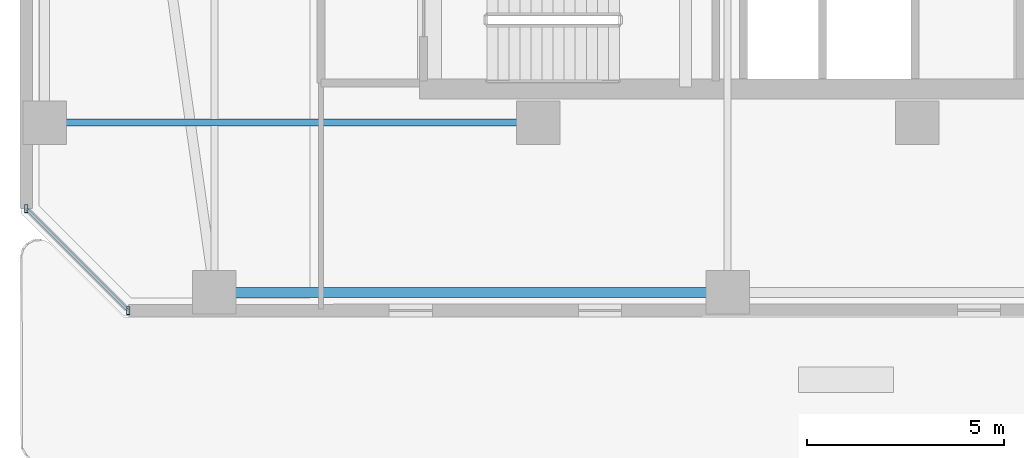
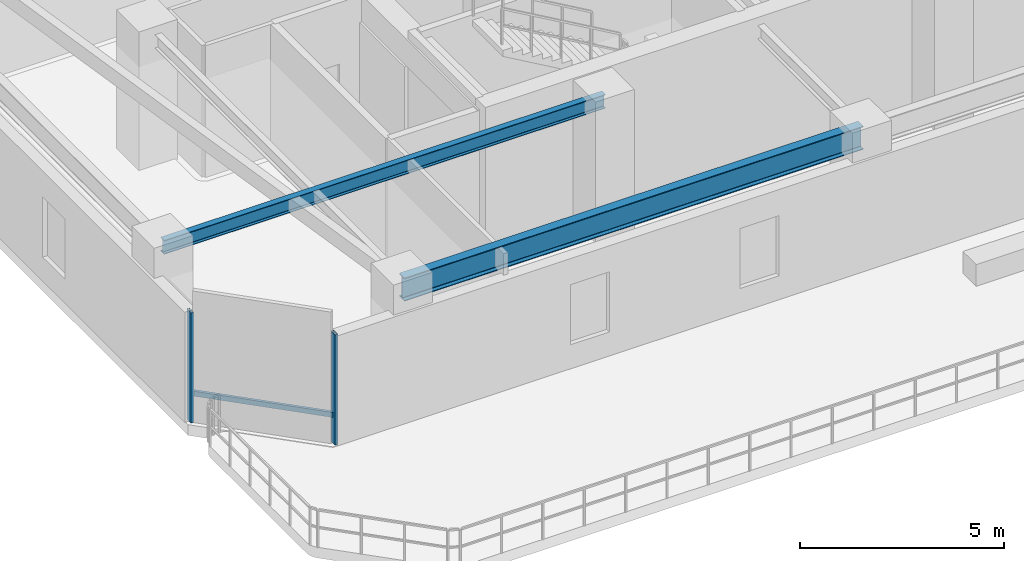
# One storey, part 3 of 33: 3 members, 2 beams, 1 element without a shape of its own.
"""IFC4 building model written with IfcOpenShell, lengths in metres."""

from ifc_helpers import new_model, si_unit, direction, frame, origin, origin_2d, place, context, subcontext, project, spatial, hollow_rectangle, i_section, extrude, material, material_profile, profile_set, type_object, element, aggregate, save


model = new_model("IFC4")

# Units and contexts
model_context = context("Model", 3, precision=1e-05, world=origin(), true_north=direction((0.0, 1.0)))
body_context = subcontext(model_context, "Body", "Model", "MODEL_VIEW")
ifc_project = project(units=[si_unit("LENGTHUNIT", "METRE"), si_unit("AREAUNIT", "SQUARE_METRE"), si_unit("VOLUMEUNIT", "CUBIC_METRE"), si_unit("PLANEANGLEUNIT", "RADIAN"), si_unit("MASSUNIT", "GRAM", prefix="KILO")], contexts=[model_context])

# Site, building, storey
site_placement = place(None, origin())
site = spatial("IfcSite", under=ifc_project, at=site_placement, CompositionType="ELEMENT")
building_placement = place(site_placement, origin())
building = spatial("IfcBuilding", under=site, at=building_placement, Name="Thornwick Lancets Civic Towers", CompositionType="ELEMENT")
storey_placement = place(building_placement, frame((0.0, 0.0, 174.300048828125)))
storey = spatial("IfcBuildingStorey", under=building, at=storey_placement, Name="L46", CompositionType="ELEMENT", Elevation=174.300048828125)

# Beams
ifc_material_1 = material(Name="Steel S355JR", Category="steel")
ifc_material_profile_1 = material_profile(ifc_material_1, i_section(OverallWidth=0.255859375, OverallDepth=0.69287109375, WebThickness=0.014404296875, FlangeThickness=0.023681640625, FilletRadius=0.01513671875, at=origin_2d()), Name="UKB 686x254x170")
ifc_profile_set_1 = profile_set([ifc_material_profile_1], Name="Steel S355JR")
beam_type_1 = type_object("IfcBeamType", Name="BM_GIRD_686_170", PredefinedType="BEAM", material=ifc_profile_set_1)
beam_1_placement = place(storey_placement, frame((12.5, 9.699951171875, 3.613525390625), z_axis=(1.0, 0.0, 0.0), x_axis=(0.0, 1.0, 0.0)))
element("IfcBeam", 1, at=beam_1_placement, inside=storey, type_object=beam_type_1, Name="BM-SPINE-L46-A-0-1", PredefinedType="BEAM", context=body_context, shape_type="SweptSolid", body=[
    extrude(i_section(OverallWidth=0.255859375, OverallDepth=0.69287109375, WebThickness=0.014404296875, FlangeThickness=0.023681640625, FilletRadius=0.01513671875, at=origin_2d()), origin(), (0.0, 0.0, 1.0), 13.0),
])
ifc_material_profile_2 = material_profile(ifc_material_1, i_section(OverallWidth=0.179443359375, OverallDepth=0.412841796875, WebThickness=0.009521484375, FlangeThickness=0.01611328125, FilletRadius=0.01025390625, at=origin_2d()), Name="UKB 406x178x74")
ifc_profile_set_2 = profile_set([ifc_material_profile_2], Name="Steel S355JR")
beam_type_2 = type_object("IfcBeamType", Name="BM_JOIST_406_74", PredefinedType="JOIST", material=ifc_profile_set_2)
beam_2_placement = place(storey_placement, frame((20.699951171875, 14.0, 3.753662109375), z_axis=(-1.0, 0.0, 0.0), x_axis=(0.0, -1.0, 0.0)))
element("IfcBeam", 2, at=beam_2_placement, inside=storey, type_object=beam_type_2, Name="BM-RADIN-L46-A10", PredefinedType="JOIST", context=body_context, shape_type="SweptSolid", body=[
    extrude(i_section(OverallWidth=0.179443359375, OverallDepth=0.412841796875, WebThickness=0.009521484375, FlangeThickness=0.01611328125, FilletRadius=0.01025390625, at=origin_2d()), origin(), (0.0, 0.0, 1.0), 12.5),
])

# Curtain wall, members
ifc_material_2 = material(Name="Mid-zone chamfered-corner unitised glass curtain wall", Category="glass")
curtain_wall_type = type_object("IfcCurtainWallType", Name="CW_SYS_04", PredefinedType="NOTDEFINED", material=ifc_material_2)
curtain_wall_placement = place(storey_placement, origin())
curtain_wall = element("IfcCurtainWall", 3, at=curtain_wall_placement, inside=storey, type_object=curtain_wall_type, Name="L46 Curtain Wall CW-L46-A-E7", PredefinedType="NOTDEFINED")
ifc_material_3 = material(Name="Thermally broken bronze aluminium S355", Category="steel")
ifc_material_profile_3 = material_profile(ifc_material_3, hollow_rectangle(XDim=0.080078125, YDim=0.199951171875, WallThickness=0.006103515625, at=origin_2d()), Name="RHS 200x80x6")
ifc_profile_set_3 = profile_set([ifc_material_profile_3], Name="Thermally broken bronze aluminium S355")
member_type_1 = type_object("IfcMemberType", Name="CW_MUL_200", PredefinedType="MULLION", material=ifc_profile_set_3)
member_1_placement = place(storey_placement, frame((7.7353515625, 11.818603515625, 0.0), z_axis=(0.0, 0.0, 1.0), x_axis=(1.0, 0.0, 0.0)))
member_1 = element("IfcMember", 4, at=member_1_placement, type_object=member_type_1, Name="CW-L46-A-E7 Mullion 0", PredefinedType="MULLION", context=body_context, shape_type="SweptSolid", body=[
    extrude(hollow_rectangle(XDim=0.080078125, YDim=0.199951171875, WallThickness=0.006103515625, at=origin_2d()), origin(), (0.0, 0.0, 1.0), 3.300048828125),
])
member_2_placement = place(storey_placement, frame((10.318603515625, 9.2353515625, 0.0), z_axis=(0.0, 0.0, 1.0), x_axis=(1.0, 0.0, 0.0)))
member_2 = element("IfcMember", 5, at=member_2_placement, type_object=member_type_1, Name="CW-L46-A-E7 Mullion 1", PredefinedType="MULLION", context=body_context, shape_type="SweptSolid", body=[
    extrude(hollow_rectangle(XDim=0.080078125, YDim=0.199951171875, WallThickness=0.006103515625, at=origin_2d()), origin(), (0.0, 0.0, 1.0), 3.300048828125),
])
ifc_material_profile_4 = material_profile(ifc_material_3, hollow_rectangle(XDim=0.074951171875, YDim=0.14990234375, WallThickness=0.0048828125, at=origin_2d()), Name="RHS 150x75x5")
ifc_profile_set_4 = profile_set([ifc_material_profile_4], Name="Thermally broken bronze aluminium S355")
member_type_2 = type_object("IfcMemberType", Name="CW_TRN_150", PredefinedType="USERDEFINED", material=ifc_profile_set_4)
member_3_placement = place(storey_placement, frame((7.74951171875, 11.804443359375, 0.849853515625), z_axis=(0.707106781187, -0.707106781187, 0.0), x_axis=(0.707106781187, 0.707106781187, 0.0)))
member_3 = element("IfcMember", 6, at=member_3_placement, type_object=member_type_2, Name="CW-L46-A-E7 Transom 0", ObjectType="TRANSOM", PredefinedType="USERDEFINED", context=body_context, shape_type="SweptSolid", body=[
    extrude(hollow_rectangle(XDim=0.074951171875, YDim=0.14990234375, WallThickness=0.0048828125, at=origin_2d()), origin(), (0.0, 0.0, 1.0), 3.61328125),
])
aggregate(curtain_wall, [member_1, member_2, member_3])

save(model, "model.ifc")
